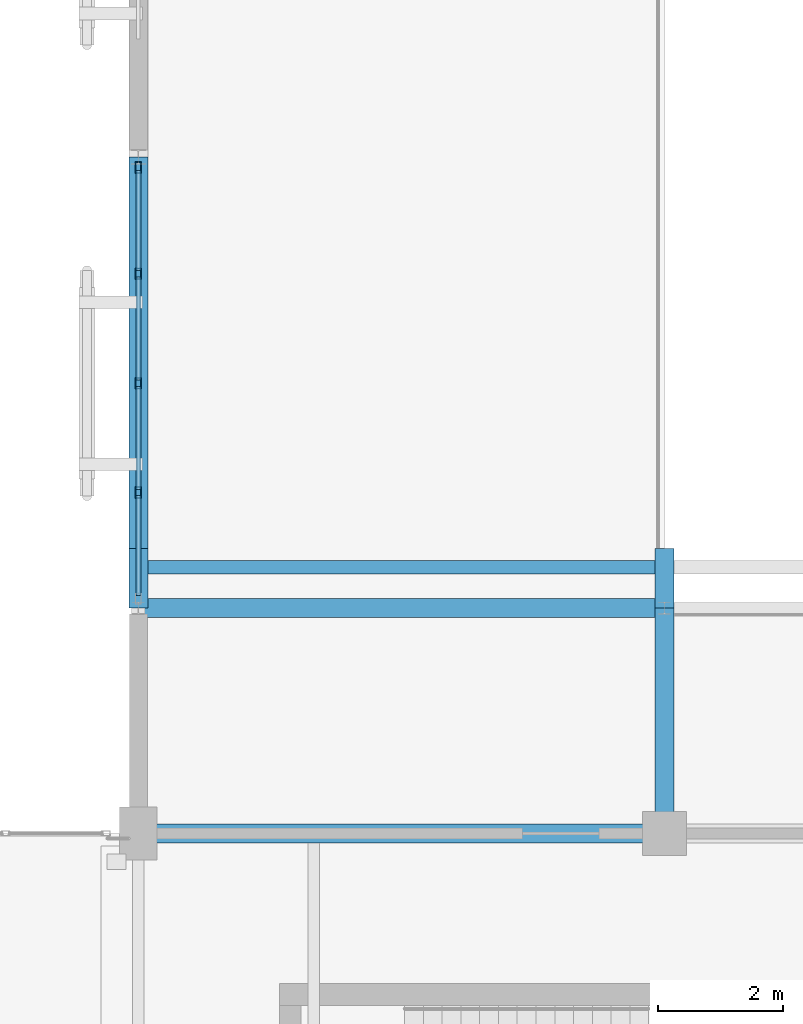
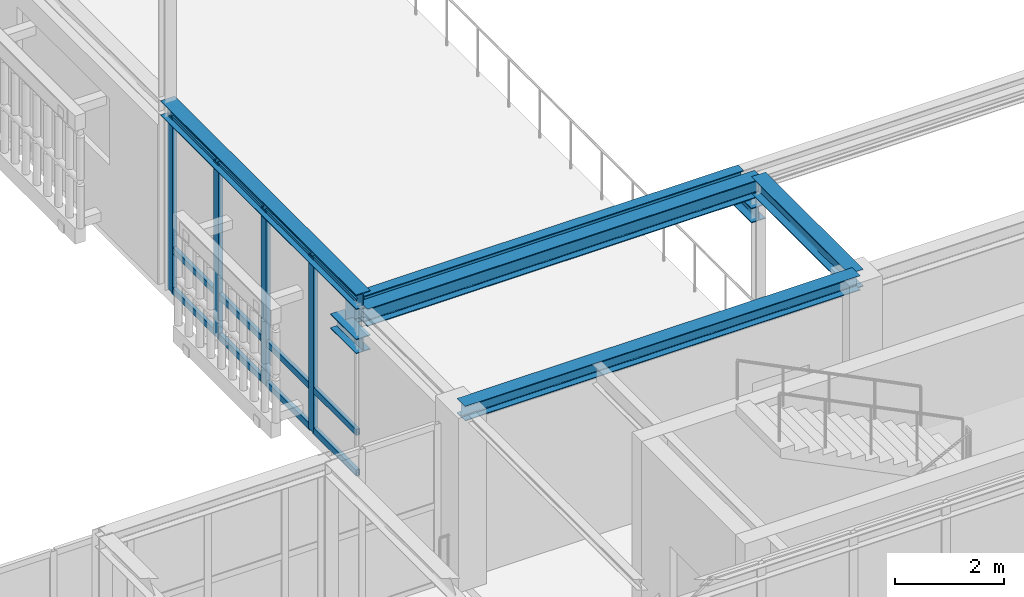
# One storey, part 70 of 170: 16 members, 7 beams, 1 element without a shape of its own.
"""IFC4 building model written with IfcOpenShell, lengths in metres."""

from ifc_helpers import new_model, si_unit, direction, frame, origin, origin_2d, place, context, subcontext, project, spatial, hollow_rectangle, i_section, extrude, material, layer, layer_set, material_profile, profile_set, type_object, element, aggregate, save


model = new_model("IFC4")

# Units and contexts
model_context = context("Model", 3, precision=1e-05, world=origin(), true_north=direction((0.0, 1.0)))
body_context = subcontext(model_context, "Body", "Model", "MODEL_VIEW")
ifc_project = project(units=[si_unit("LENGTHUNIT", "METRE"), si_unit("AREAUNIT", "SQUARE_METRE"), si_unit("VOLUMEUNIT", "CUBIC_METRE"), si_unit("PLANEANGLEUNIT", "RADIAN"), si_unit("MASSUNIT", "GRAM", prefix="KILO")], contexts=[model_context])

# Site, building, storey
site_placement = place(None, origin())
site = spatial("IfcSite", under=ifc_project, at=site_placement, CompositionType="ELEMENT")
building_placement = place(site_placement, origin())
building = spatial("IfcBuilding", under=site, at=building_placement, Name="Mazaris Harbour Polytechnic", CompositionType="ELEMENT")
storey_placement = place(building_placement, frame((0.0, 0.0, 5.39990234375)))
storey = spatial("IfcBuildingStorey", under=building, at=storey_placement, Name="L01", CompositionType="ELEMENT", Elevation=5.39990234375)

# Beam
ifc_material_1 = material(Name="Steel S355", Category="steel")
ifc_material_profile_1 = material_profile(ifc_material_1, i_section(OverallWidth=0.2099609375, OverallDepth=0.550048828125, WebThickness=0.010986328125, FlangeThickness=0.01708984375, FilletRadius=0.02392578125, at=origin_2d()), Name="IPE 550")
ifc_profile_set_1 = profile_set([ifc_material_profile_1], Name="Steel S355")
beam_type_1 = type_object("IfcBeamType", Name="Crane Runway IPE550", PredefinedType="USERDEFINED", material=ifc_profile_set_1)
beam_1_placement = place(storey_placement, frame((54.0, 87.050048828125, 3.400146484375), z_axis=(1.0, 0.0, 0.0), x_axis=(0.0, 1.0, 0.0)))
element("IfcBeam", 1, at=beam_1_placement, inside=storey, type_object=beam_type_1, Name="V1 10t Bridge Crane Runway 1", ObjectType="CRANE RUNWAY", PredefinedType="USERDEFINED", context=body_context, shape_type="SweptSolid", body=[
    extrude(i_section(OverallWidth=0.2099609375, OverallDepth=0.550048828125, WebThickness=0.010986328125, FlangeThickness=0.01708984375, FilletRadius=0.02392578125, at=origin_2d()), origin(), (0.0, 0.0, 1.0), 8.39990234375),
])

# Curtain wall, members
ifc_material_2 = material(Name="Anodised Bronze Aluminium and Low-E Glass", Category="aluminium")
ifc_layer = layer(ifc_material_2, 0.14990234375, Name="Anodised Bronze Aluminium and Low-E Glass")
ifc_layer_set = layer_set([ifc_layer], Name="Anodised Bronze Aluminium and Low-E Glass")
curtain_wall_type = type_object("IfcCurtainWallType", Name="Workshop Clerestory Curtain Wall", PredefinedType="NOTDEFINED", material=ifc_layer_set)
curtain_wall_placement = place(storey_placement, origin())
curtain_wall = element("IfcCurtainWall", 2, at=curtain_wall_placement, inside=storey, type_object=curtain_wall_type, Name="V1 L01 Curtain Wall 21", PredefinedType="NOTDEFINED")
ifc_material_3 = material(Name="Anodised Bronze Steel S355", Category="steel")
ifc_material_profile_2 = material_profile(ifc_material_3, hollow_rectangle(XDim=0.10009765625, YDim=0.179931640625, WallThickness=0.008056640625, at=origin_2d()), Name="RHS 100x180x8.0")
ifc_profile_set_2 = profile_set([ifc_material_profile_2], Name="Anodised Bronze Steel S355")
member_type_1 = type_object("IfcMemberType", Name="Curtain Mullion RHS100x180", PredefinedType="MULLION", material=ifc_profile_set_2)
member_1_placement = place(storey_placement, frame((54.0, 88.243408203125, 0.0), z_axis=(0.0, 0.0, 1.0), x_axis=(-1.0, 0.0, 0.0)))
member_1 = element("IfcMember", 3, at=member_1_placement, type_object=member_type_1, Name="CW-04 mullion 2", PredefinedType="MULLION", context=body_context, shape_type="SweptSolid", body=[
    extrude(hollow_rectangle(XDim=0.10009765625, YDim=0.179931640625, WallThickness=0.008056640625, at=origin_2d()), origin(), (0.0, 0.0, 1.0), 3.920166015625),
])
member_2_placement = place(storey_placement, frame((54.0, 89.989990234375, 0.0), z_axis=(0.0, 0.0, 1.0), x_axis=(-1.0, 0.0, 0.0)))
member_2 = element("IfcMember", 4, at=member_2_placement, type_object=member_type_1, Name="CW-04 mullion 3", PredefinedType="MULLION", context=body_context, shape_type="SweptSolid", body=[
    extrude(hollow_rectangle(XDim=0.10009765625, YDim=0.179931640625, WallThickness=0.008056640625, at=origin_2d()), origin(), (0.0, 0.0, 1.0), 3.920166015625),
])
member_3_placement = place(storey_placement, frame((54.0, 91.736572265625, 0.0), z_axis=(0.0, 0.0, 1.0), x_axis=(-1.0, 0.0, 0.0)))
member_3 = element("IfcMember", 5, at=member_3_placement, type_object=member_type_1, Name="CW-04 mullion 4", PredefinedType="MULLION", context=body_context, shape_type="SweptSolid", body=[
    extrude(hollow_rectangle(XDim=0.10009765625, YDim=0.179931640625, WallThickness=0.008056640625, at=origin_2d()), origin(), (0.0, 0.0, 1.0), 3.920166015625),
])
member_4_placement = place(storey_placement, frame((54.0, 93.43310546875, 0.0), z_axis=(0.0, 0.0, 1.0), x_axis=(-1.0, 0.0, 0.0)))
member_4 = element("IfcMember", 6, at=member_4_placement, type_object=member_type_1, Name="CW-04 mullion 5", PredefinedType="MULLION", context=body_context, shape_type="SweptSolid", body=[
    extrude(hollow_rectangle(XDim=0.10009765625, YDim=0.179931640625, WallThickness=0.008056640625, at=origin_2d()), origin(), (0.0, 0.0, 1.0), 3.920166015625),
])
ifc_material_4 = material(Name="Anodised Bronze Steel S355", Category="steel")
ifc_material_profile_3 = material_profile(ifc_material_4, hollow_rectangle(XDim=0.080078125, YDim=0.139892578125, WallThickness=0.00634765625, at=origin_2d()), Name="RHS 80x140x6.3")
ifc_profile_set_3 = profile_set([ifc_material_profile_3], Name="Anodised Bronze Steel S355")
member_type_2 = type_object("IfcMemberType", Name="Curtain Transom RHS80x140", PredefinedType="USERDEFINED", material=ifc_profile_set_3)
member_5_placement = place(storey_placement, frame((54.0, 86.596923828125, 0.0400390625), z_axis=(0.0, 1.0, 0.0), x_axis=(-1.0, 0.0, 0.0)))
member_5 = element("IfcMember", 7, at=member_5_placement, type_object=member_type_2, Name="CW-04 transom 1.1", ObjectType="TRANSOM", PredefinedType="USERDEFINED", context=body_context, shape_type="SweptSolid", body=[
    extrude(hollow_rectangle(XDim=0.080078125, YDim=0.139892578125, WallThickness=0.00634765625, at=origin_2d()), origin(), (0.0, 0.0, 1.0), 1.5966796875),
])
member_6_placement = place(storey_placement, frame((54.0, 86.596923828125, 0.9501953125), z_axis=(0.0, 1.0, 0.0), x_axis=(-1.0, 0.0, 0.0)))
member_6 = element("IfcMember", 8, at=member_6_placement, type_object=member_type_2, Name="CW-04 transom 1.2", ObjectType="TRANSOM", PredefinedType="USERDEFINED", context=body_context, shape_type="SweptSolid", body=[
    extrude(hollow_rectangle(XDim=0.080078125, YDim=0.139892578125, WallThickness=0.00634765625, at=origin_2d()), origin(), (0.0, 0.0, 1.0), 1.5966796875),
])
member_7_placement = place(storey_placement, frame((54.0, 86.596923828125, 3.880126953125), z_axis=(0.0, 1.0, 0.0), x_axis=(-1.0, 0.0, 0.0)))
member_7 = element("IfcMember", 9, at=member_7_placement, type_object=member_type_2, Name="CW-04 transom 1.3", ObjectType="TRANSOM", PredefinedType="USERDEFINED", context=body_context, shape_type="SweptSolid", body=[
    extrude(hollow_rectangle(XDim=0.080078125, YDim=0.139892578125, WallThickness=0.00634765625, at=origin_2d()), origin(), (0.0, 0.0, 1.0), 1.5966796875),
])
member_8_placement = place(storey_placement, frame((54.0, 88.29345703125, 0.0400390625), z_axis=(0.0, 1.0, 0.0), x_axis=(-1.0, 0.0, 0.0)))
member_8 = element("IfcMember", 10, at=member_8_placement, type_object=member_type_2, Name="CW-04 transom 2.1", ObjectType="TRANSOM", PredefinedType="USERDEFINED", context=body_context, shape_type="SweptSolid", body=[
    extrude(hollow_rectangle(XDim=0.080078125, YDim=0.139892578125, WallThickness=0.00634765625, at=origin_2d()), origin(), (0.0, 0.0, 1.0), 1.646484375),
])
member_9_placement = place(storey_placement, frame((54.0, 88.29345703125, 0.9501953125), z_axis=(0.0, 1.0, 0.0), x_axis=(-1.0, 0.0, 0.0)))
member_9 = element("IfcMember", 11, at=member_9_placement, type_object=member_type_2, Name="CW-04 transom 2.2", ObjectType="TRANSOM", PredefinedType="USERDEFINED", context=body_context, shape_type="SweptSolid", body=[
    extrude(hollow_rectangle(XDim=0.080078125, YDim=0.139892578125, WallThickness=0.00634765625, at=origin_2d()), origin(), (0.0, 0.0, 1.0), 1.646484375),
])
member_10_placement = place(storey_placement, frame((54.0, 88.29345703125, 3.880126953125), z_axis=(0.0, 1.0, 0.0), x_axis=(-1.0, 0.0, 0.0)))
member_10 = element("IfcMember", 12, at=member_10_placement, type_object=member_type_2, Name="CW-04 transom 2.3", ObjectType="TRANSOM", PredefinedType="USERDEFINED", context=body_context, shape_type="SweptSolid", body=[
    extrude(hollow_rectangle(XDim=0.080078125, YDim=0.139892578125, WallThickness=0.00634765625, at=origin_2d()), origin(), (0.0, 0.0, 1.0), 1.646484375),
])
member_11_placement = place(storey_placement, frame((54.0, 90.0400390625, 0.0400390625), z_axis=(0.0, 1.0, 0.0), x_axis=(-1.0, 0.0, 0.0)))
member_11 = element("IfcMember", 13, at=member_11_placement, type_object=member_type_2, Name="CW-04 transom 3.1", ObjectType="TRANSOM", PredefinedType="USERDEFINED", context=body_context, shape_type="SweptSolid", body=[
    extrude(hollow_rectangle(XDim=0.080078125, YDim=0.139892578125, WallThickness=0.00634765625, at=origin_2d()), origin(), (0.0, 0.0, 1.0), 1.646484375),
])
member_12_placement = place(storey_placement, frame((54.0, 90.0400390625, 0.9501953125), z_axis=(0.0, 1.0, 0.0), x_axis=(-1.0, 0.0, 0.0)))
member_12 = element("IfcMember", 14, at=member_12_placement, type_object=member_type_2, Name="CW-04 transom 3.2", ObjectType="TRANSOM", PredefinedType="USERDEFINED", context=body_context, shape_type="SweptSolid", body=[
    extrude(hollow_rectangle(XDim=0.080078125, YDim=0.139892578125, WallThickness=0.00634765625, at=origin_2d()), origin(), (0.0, 0.0, 1.0), 1.646484375),
])
member_13_placement = place(storey_placement, frame((54.0, 90.0400390625, 3.880126953125), z_axis=(0.0, 1.0, 0.0), x_axis=(-1.0, 0.0, 0.0)))
member_13 = element("IfcMember", 15, at=member_13_placement, type_object=member_type_2, Name="CW-04 transom 3.3", ObjectType="TRANSOM", PredefinedType="USERDEFINED", context=body_context, shape_type="SweptSolid", body=[
    extrude(hollow_rectangle(XDim=0.080078125, YDim=0.139892578125, WallThickness=0.00634765625, at=origin_2d()), origin(), (0.0, 0.0, 1.0), 1.646484375),
])
member_14_placement = place(storey_placement, frame((54.0, 91.78662109375, 0.0400390625), z_axis=(0.0, 1.0, 0.0), x_axis=(-1.0, 0.0, 0.0)))
member_14 = element("IfcMember", 16, at=member_14_placement, type_object=member_type_2, Name="CW-04 transom 4.1", ObjectType="TRANSOM", PredefinedType="USERDEFINED", context=body_context, shape_type="SweptSolid", body=[
    extrude(hollow_rectangle(XDim=0.080078125, YDim=0.139892578125, WallThickness=0.00634765625, at=origin_2d()), origin(), (0.0, 0.0, 1.0), 1.596435546875),
])
member_15_placement = place(storey_placement, frame((54.0, 91.78662109375, 0.9501953125), z_axis=(0.0, 1.0, 0.0), x_axis=(-1.0, 0.0, 0.0)))
member_15 = element("IfcMember", 17, at=member_15_placement, type_object=member_type_2, Name="CW-04 transom 4.2", ObjectType="TRANSOM", PredefinedType="USERDEFINED", context=body_context, shape_type="SweptSolid", body=[
    extrude(hollow_rectangle(XDim=0.080078125, YDim=0.139892578125, WallThickness=0.00634765625, at=origin_2d()), origin(), (0.0, 0.0, 1.0), 1.596435546875),
])
member_16_placement = place(storey_placement, frame((54.0, 91.78662109375, 3.880126953125), z_axis=(0.0, 1.0, 0.0), x_axis=(-1.0, 0.0, 0.0)))
member_16 = element("IfcMember", 18, at=member_16_placement, type_object=member_type_2, Name="CW-04 transom 4.3", ObjectType="TRANSOM", PredefinedType="USERDEFINED", context=body_context, shape_type="SweptSolid", body=[
    extrude(hollow_rectangle(XDim=0.080078125, YDim=0.139892578125, WallThickness=0.00634765625, at=origin_2d()), origin(), (0.0, 0.0, 1.0), 1.596435546875),
])
aggregate(curtain_wall, [member_1, member_2, member_3, member_4, member_5, member_6, member_7, member_8, member_9, member_10, member_11, member_12, member_13, member_14, member_15, member_16])

# Beams
ifc_material_5 = material(Name="Steel S355", Category="steel")
ifc_material_profile_4 = material_profile(ifc_material_5, i_section(OverallWidth=0.300048828125, OverallDepth=0.330078125, WebThickness=0.009521484375, FlangeThickness=0.0166015625, FilletRadius=0.027099609375, at=origin_2d()), Name="HEA 340")
ifc_profile_set_4 = profile_set([ifc_material_profile_4], Name="Steel S355")
beam_type_2 = type_object("IfcBeamType", Name="Steel Beam HEA340", PredefinedType="BEAM", material=ifc_profile_set_4)
beam_2_placement = place(storey_placement, frame((54.0, 82.800048828125, 3.755126953125), z_axis=(1.0, 0.0, 0.0), x_axis=(0.0, 1.0, 0.0)))
element("IfcBeam", 19, at=beam_2_placement, inside=storey, type_object=beam_type_2, Name="V1 L01 Girder 238", PredefinedType="BEAM", context=body_context, shape_type="SweptSolid", body=[
    extrude(i_section(OverallWidth=0.300048828125, OverallDepth=0.330078125, WebThickness=0.009521484375, FlangeThickness=0.0166015625, FilletRadius=0.027099609375, at=origin_2d()), origin(), (0.0, 0.0, 1.0), 8.39990234375),
])
for number, where, z_axis, x_axis, name in (
    (20, (54.0, 86.39990234375, 3.0400390625), (0.0, 1.0, 0.0), (-1.0, 0.0, 0.0), "V1 Crane Corbel Bracket 3555"),
    (21, (62.39990234375, 86.39990234375, 3.0400390625), (0.0, 1.0, 0.0), (-1.0, 0.0, 0.0), "V1 Crane Corbel Bracket 3556"),
):
    element("IfcBeam", number, at=place(storey_placement, frame(where, z_axis=z_axis, x_axis=x_axis)), inside=storey, type_object=beam_type_2, Name=name, PredefinedType="BEAM", context=body_context, shape_type="SweptSolid", body=[
        extrude(i_section(OverallWidth=0.300048828125, OverallDepth=0.330078125, WebThickness=0.009521484375, FlangeThickness=0.0166015625, FilletRadius=0.027099609375, at=origin_2d()), origin(), (0.0, 0.0, 1.0), 0.9501953125),
    ])
ifc_material_6 = material(Name="Steel S355", Category="steel")
ifc_material_profile_5 = material_profile(ifc_material_6, i_section(OverallWidth=0.300048828125, OverallDepth=0.330078125, WebThickness=0.009521484375, FlangeThickness=0.0166015625, FilletRadius=0.027099609375, at=origin_2d()), Name="HEA 340")
ifc_profile_set_5 = profile_set([ifc_material_profile_5], Name="Steel S355")
beam_type_3 = type_object("IfcBeamType", Name="Steel Beam HEA340 Exterior", PredefinedType="BEAM", material=ifc_profile_set_5)
beam_3_placement = place(storey_placement, frame((54.0, 86.39990234375, 4.03515625), z_axis=(0.0, 1.0, 0.0), x_axis=(-1.0, 0.0, 0.0)))
element("IfcBeam", 22, at=beam_3_placement, inside=storey, type_object=beam_type_3, Name="V1 L01 Tie Girder 254", PredefinedType="BEAM", context=body_context, shape_type="SweptSolid", body=[
    extrude(i_section(OverallWidth=0.300048828125, OverallDepth=0.330078125, WebThickness=0.009521484375, FlangeThickness=0.0166015625, FilletRadius=0.027099609375, at=origin_2d()), origin(), (0.0, 0.0, 1.0), 7.2001953125),
])
ifc_material_7 = material(Name="Steel S355", Category="steel")
ifc_material_profile_6 = material_profile(ifc_material_7, i_section(OverallWidth=0.300048828125, OverallDepth=0.389892578125, WebThickness=0.010986328125, FlangeThickness=0.01904296875, FilletRadius=0.027099609375, at=origin_2d()), Name="HEA 400")
ifc_profile_set_6 = profile_set([ifc_material_profile_6], Name="Steel S355")
beam_type_4 = type_object("IfcBeamType", Name="Steel Beam HEA400", PredefinedType="BEAM", material=ifc_profile_set_6)
beam_4_placement = place(storey_placement, frame((62.39990234375, 82.800048828125, 3.72509765625), z_axis=(0.0, 1.0, 0.0), x_axis=(-1.0, 0.0, 0.0)))
element("IfcBeam", 23, at=beam_4_placement, inside=storey, type_object=beam_type_4, Name="V1 L01 Tie Girder 257", PredefinedType="BEAM", context=body_context, shape_type="SweptSolid", body=[
    extrude(i_section(OverallWidth=0.300048828125, OverallDepth=0.389892578125, WebThickness=0.010986328125, FlangeThickness=0.01904296875, FilletRadius=0.027099609375, at=origin_2d()), origin(), (0.0, 0.0, 1.0), 3.599853515625),
])
ifc_material_8 = material(Name="Steel S355", Category="steel")
ifc_material_profile_7 = material_profile(ifc_material_8, i_section(OverallWidth=0.300048828125, OverallDepth=0.389892578125, WebThickness=0.010986328125, FlangeThickness=0.01904296875, FilletRadius=0.027099609375, at=origin_2d()), Name="HEA 400")
ifc_profile_set_7 = profile_set([ifc_material_profile_7], Name="Steel S355")
beam_type_5 = type_object("IfcBeamType", Name="Steel Beam HEA400 Exterior", PredefinedType="BEAM", material=ifc_profile_set_7)
beam_5_placement = place(storey_placement, frame((54.0, 86.39990234375, 3.72509765625), z_axis=(1.0, 0.0, 0.0), x_axis=(0.0, 1.0, 0.0)))
element("IfcBeam", 24, at=beam_5_placement, inside=storey, type_object=beam_type_5, Name="V1 L01 Girder 245", PredefinedType="BEAM", context=body_context, shape_type="SweptSolid", body=[
    extrude(i_section(OverallWidth=0.300048828125, OverallDepth=0.389892578125, WebThickness=0.010986328125, FlangeThickness=0.01904296875, FilletRadius=0.027099609375, at=origin_2d()), origin(), (0.0, 0.0, 1.0), 8.39990234375),
])

save(model, "model.ifc")
